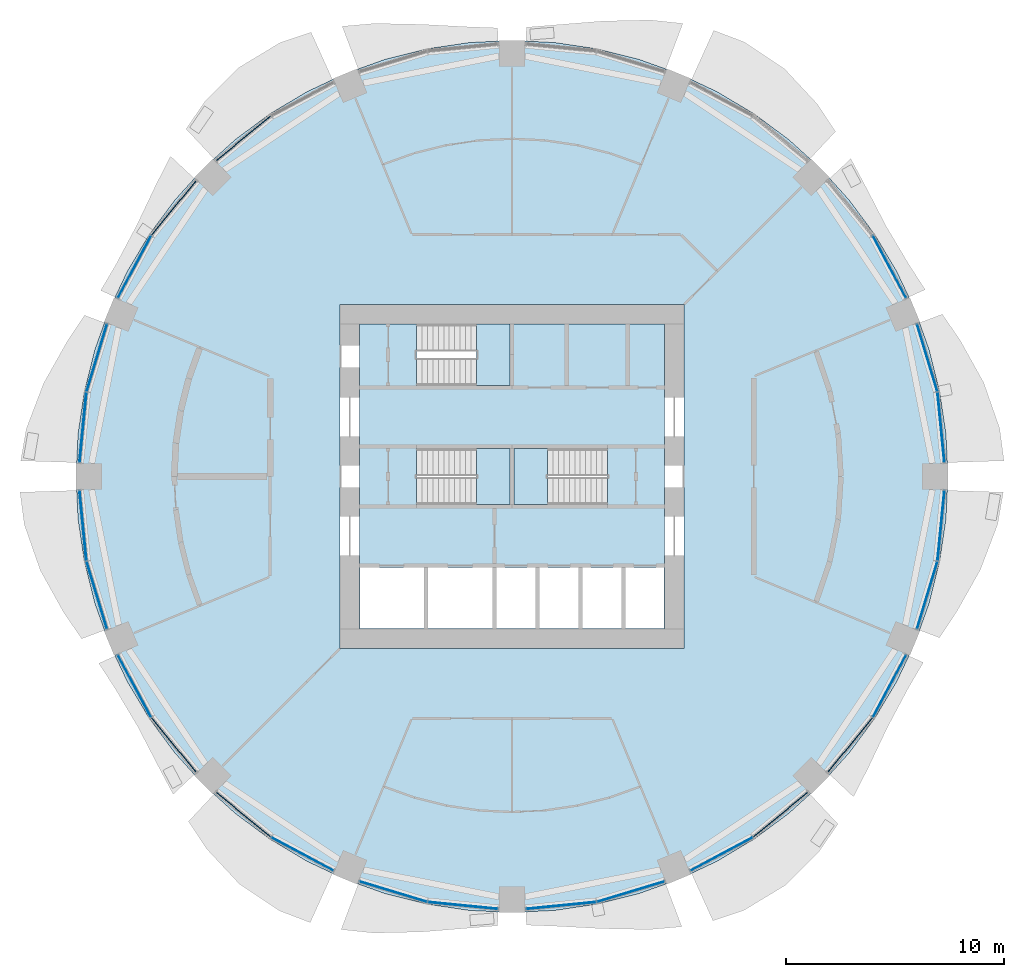
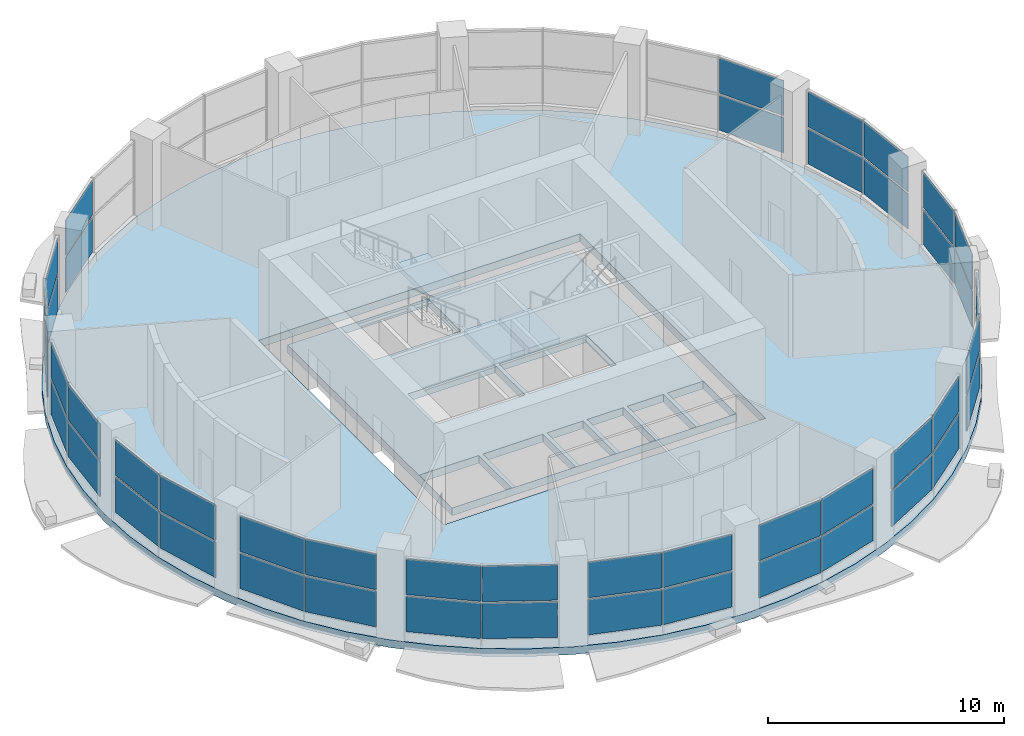
# One storey, part 6 of 14: 48 plates, 5 slabs, 16 elements without a shape of their own.
"""IFC4 building model written with IfcOpenShell, lengths in metres."""

from ifc_helpers import new_model, si_unit, direction, frame, origin, origin_2d, place, context, subcontext, project, spatial, polyline, rectangle, outline, extrude, material, layer, layer_set, type_object, element, aggregate, save


model = new_model("IFC4")

# Units and contexts
model_context = context("Model", 3, precision=1e-05, world=origin(), true_north=direction((0.0, 1.0)))
body_context = subcontext(model_context, "Body", "Model", "MODEL_VIEW")
ifc_project = project(units=[si_unit("LENGTHUNIT", "METRE"), si_unit("AREAUNIT", "SQUARE_METRE"), si_unit("VOLUMEUNIT", "CUBIC_METRE"), si_unit("PLANEANGLEUNIT", "RADIAN"), si_unit("MASSUNIT", "GRAM", prefix="KILO")], contexts=[model_context])

# Site, building, storey
site_placement = place(None, origin())
site = spatial("IfcSite", under=ifc_project, at=site_placement, CompositionType="ELEMENT")
building_placement = place(site_placement, origin())
building = spatial("IfcBuilding", under=site, at=building_placement, Name="Polderwave Tower", CompositionType="ELEMENT")
storey_placement = place(building_placement, frame((0.0, 0.0, 5.199951171875)))
storey = spatial("IfcBuildingStorey", under=building, at=storey_placement, Name="L01", CompositionType="ELEMENT", Elevation=5.199951171875)

# Slabs
ifc_material_1 = material(Name="Concrete C40/50", Category="concrete")
ifc_layer_1 = layer(ifc_material_1, 0.39990234375)
ifc_layer_set_1 = layer_set([ifc_layer_1], Name="Core floor slab 400")
slab_type_1 = type_object("IfcSlabType", Name="Core floor slab 400", PredefinedType="FLOOR", material=ifc_layer_set_1)
slab_1_placement = place(storey_placement, frame((0.0, 0.0, -0.39990234375)))
element("IfcSlab", 1, at=slab_1_placement, inside=storey, type_object=slab_type_1, Name="L01 core floor", PredefinedType="FLOOR", context=body_context, shape_type="SweptSolid", body=[
    extrude(outline(polyline([(-6.97412109375, -6.97412109375), (6.97412109375, -6.97412109375), (6.97412109375, 6.97412109375), (-6.97412109375, 6.97412109375), (-6.97412109375, -6.97412109375)]), holes=[polyline([(-6.9541015625, -6.9541015625), (-4.037109375, -6.9541015625), (-4.037109375, -4.174072265625), (-6.9541015625, -4.174072265625), (-6.9541015625, -6.9541015625)]), polyline([(-3.8369140625, -6.9541015625), (-0.89990234375, -6.9541015625), (-0.89990234375, -4.174072265625), (-3.8369140625, -4.174072265625), (-3.8369140625, -6.9541015625)]), polyline([(-0.699951171875, -6.9541015625), (1.068603515625, -6.9541015625), (1.068603515625, -4.174072265625), (-0.699951171875, -4.174072265625), (-0.699951171875, -6.9541015625)]), polyline([(1.2685546875, -6.9541015625), (3.037109375, -6.9541015625), (3.037109375, -4.174072265625), (1.2685546875, -4.174072265625), (1.2685546875, -6.9541015625)]), polyline([(3.237060546875, -6.9541015625), (5.005615234375, -6.9541015625), (5.005615234375, -4.174072265625), (3.237060546875, -4.174072265625), (3.237060546875, -6.9541015625)]), polyline([(5.20556640625, -6.9541015625), (6.9541015625, -6.9541015625), (6.9541015625, -4.174072265625), (5.20556640625, -4.174072265625), (5.20556640625, -6.9541015625)]), polyline([(-4.37353515625, -1.2744140625), (-0.1005859375, -1.2744140625), (-0.1005859375, 1.2744140625), (-4.37353515625, 1.2744140625), (-4.37353515625, -1.2744140625)]), polyline([(0.1005859375, -1.2744140625), (4.37353515625, -1.2744140625), (4.37353515625, 1.2744140625), (0.1005859375, 1.2744140625), (0.1005859375, -1.2744140625)]), polyline([(-4.37353515625, 4.174560546875), (-0.1005859375, 4.174560546875), (-0.1005859375, 6.9541015625), (-4.37353515625, 6.9541015625), (-4.37353515625, 4.174560546875)])]), origin(), (0.0, 0.0, 1.0), 0.39990234375),
])
ifc_layer_2 = layer(ifc_material_1, 0.39990234375)
ifc_layer_set_2 = layer_set([ifc_layer_2], Name="PT FLOOR SLAB 400 C40/50")
slab_type_2 = type_object("IfcSlabType", Name="PT FLOOR SLAB 400 C40/50", PredefinedType="FLOOR", material=ifc_layer_set_2)
slab_2_placement = place(storey_placement, frame((0.0, 0.0, -0.39990234375)))
element("IfcSlab", 2, at=slab_2_placement, inside=storey, type_object=slab_type_2, Name="ST-SLAB-L01", PredefinedType="FLOOR", context=body_context, shape_type="SweptSolid", body=[
    extrude(outline(polyline([(19.9599609375, 0.0), (19.864013671875, 1.956298828125), (19.576416015625, 3.89404296875), (19.1005859375, 5.794189453125), (18.440673828125, 7.638427734375), (17.60302734375, 9.4091796875), (16.59619140625, 11.089111328125), (15.42919921875, 12.66259765625), (14.114013671875, 14.114013671875), (12.66259765625, 15.42919921875), (11.089111328125, 16.59619140625), (9.4091796875, 17.60302734375), (7.638427734375, 18.440673828125), (5.794189453125, 19.1005859375), (3.89404296875, 19.576416015625), (1.956298828125, 19.864013671875), (0.0, 19.9599609375), (-1.956298828125, 19.864013671875), (-3.89404296875, 19.576416015625), (-5.794189453125, 19.1005859375), (-7.638427734375, 18.440673828125), (-9.4091796875, 17.60302734375), (-11.089111328125, 16.59619140625), (-12.66259765625, 15.42919921875), (-14.114013671875, 14.114013671875), (-15.42919921875, 12.66259765625), (-16.59619140625, 11.089111328125), (-17.60302734375, 9.4091796875), (-18.440673828125, 7.638427734375), (-19.1005859375, 5.794189453125), (-19.576416015625, 3.89404296875), (-19.864013671875, 1.956298828125), (-19.9599609375, 0.0), (-19.864013671875, -1.956298828125), (-19.576416015625, -3.89404296875), (-19.1005859375, -5.794189453125), (-18.440673828125, -7.638427734375), (-17.60302734375, -9.4091796875), (-16.59619140625, -11.089111328125), (-15.42919921875, -12.66259765625), (-14.114013671875, -14.114013671875), (-12.66259765625, -15.42919921875), (-11.089111328125, -16.59619140625), (-9.4091796875, -17.60302734375), (-7.638427734375, -18.440673828125), (-5.794189453125, -19.1005859375), (-3.89404296875, -19.576416015625), (-1.956298828125, -19.864013671875), (0.0, -19.9599609375), (1.956298828125, -19.864013671875), (3.89404296875, -19.576416015625), (5.794189453125, -19.1005859375), (7.638427734375, -18.440673828125), (9.4091796875, -17.60302734375), (11.089111328125, -16.59619140625), (12.66259765625, -15.42919921875), (14.114013671875, -14.114013671875), (15.42919921875, -12.66259765625), (16.59619140625, -11.089111328125), (17.60302734375, -9.4091796875), (18.440673828125, -7.638427734375), (19.1005859375, -5.794189453125), (19.576416015625, -3.89404296875), (19.864013671875, -1.956298828125), (19.9599609375, 0.0)]), holes=[polyline([(-7.8740234375, -7.8740234375), (7.8740234375, -7.8740234375), (7.8740234375, 7.8740234375), (-7.8740234375, 7.8740234375), (-7.8740234375, -7.8740234375)])]), origin(), (0.0, 0.0, 1.0), 0.39990234375),
])

# Curtain wall, plates
ifc_material_2 = material(Name="Aluminium 6063-T6 and glass", Category="aluminium")
curtain_wall_type = type_object("IfcCurtainWallType", Name="Shopfront glazing wall", PredefinedType="NOTDEFINED", material=ifc_material_2)
curtain_wall_1_placement = place(storey_placement, origin())
curtain_wall_1 = element("IfcCurtainWall", 3, at=curtain_wall_1_placement, inside=storey, type_object=curtain_wall_type, Name="CW1 L01 00", PredefinedType="NOTDEFINED")
ifc_material_3 = material(Name="Glass, low-e laminated double glazing", Category="glass")
ifc_layer_3 = layer(ifc_material_3, 0.035888671875)
ifc_layer_set_3 = layer_set([ifc_layer_3], Name="Shopfront glazing glass panel 36 mm")
plate_type = type_object("IfcPlateType", Name="Shopfront glazing glass panel 36 mm", PredefinedType="CURTAIN_PANEL", material=ifc_layer_set_3)
plate_1_placement = place(storey_placement, frame((19.637939453125, 2.251953125, 0.4501953125), z_axis=(0.0, 0.0, 1.0), x_axis=(-0.098178673064, 0.99516880385, 0.0)))
plate_1 = element("IfcPlate", 4, at=plate_1_placement, type_object=plate_type, Name="CW1 panel 1", PredefinedType="CURTAIN_PANEL", context=body_context, shape_type="SweptSolid", body=[
    extrude(rectangle(XDim=3.199951171875, YDim=0.035888671875, at=origin_2d()), origin(), (0.0, 0.0, 1.0), 1.824951171875),
])
plate_2_placement = place(storey_placement, frame((19.637939453125, 2.251953125, 2.375), z_axis=(0.0, 0.0, 1.0), x_axis=(-0.098178673064, 0.99516880385, 0.0)))
plate_2 = element("IfcPlate", 5, at=plate_2_placement, type_object=plate_type, Name="CW1 panel 2", PredefinedType="CURTAIN_PANEL", context=body_context, shape_type="SweptSolid", body=[
    extrude(rectangle(XDim=3.199951171875, YDim=0.035888671875, at=origin_2d()), origin(), (0.0, 0.0, 1.0), 1.824951171875),
])
plate_3_placement = place(storey_placement, frame((19.0048828125, 5.43408203125, 0.4501953125), z_axis=(0.0, 0.0, 1.0), x_axis=(-0.290217869509, 0.956960599094, 0.0)))
plate_3 = element("IfcPlate", 6, at=plate_3_placement, type_object=plate_type, Name="CW1 panel 3", PredefinedType="CURTAIN_PANEL", context=body_context, shape_type="SweptSolid", body=[
    extrude(rectangle(XDim=3.20068359375, YDim=0.035888671875, at=origin_2d()), origin(), (0.0, 0.0, 1.0), 1.824951171875),
])
plate_4_placement = place(storey_placement, frame((19.0048828125, 5.43408203125, 2.375), z_axis=(0.0, 0.0, 1.0), x_axis=(-0.290217869509, 0.956960599094, 0.0)))
plate_4 = element("IfcPlate", 7, at=plate_4_placement, type_object=plate_type, Name="CW1 panel 4", PredefinedType="CURTAIN_PANEL", context=body_context, shape_type="SweptSolid", body=[
    extrude(rectangle(XDim=3.20068359375, YDim=0.035888671875, at=origin_2d()), origin(), (0.0, 0.0, 1.0), 1.824951171875),
])
aggregate(curtain_wall_1, [plate_1, plate_2, plate_3, plate_4])

curtain_wall_2_placement = place(storey_placement, origin())
curtain_wall_2 = element("IfcCurtainWall", 8, at=curtain_wall_2_placement, inside=storey, type_object=curtain_wall_type, Name="CW1 L01 01", PredefinedType="NOTDEFINED")
plate_5_placement = place(storey_placement, frame((17.281494140625, 9.59619140625, 0.4501953125), z_axis=(0.0, 0.0, 1.0), x_axis=(-0.471361333858, 0.881940186716, 0.0)))
plate_5 = element("IfcPlate", 9, at=plate_5_placement, type_object=plate_type, Name="CW1 panel 1", PredefinedType="CURTAIN_PANEL", context=body_context, shape_type="SweptSolid", body=[
    extrude(rectangle(XDim=3.200439453125, YDim=0.035888671875, at=origin_2d()), origin(), (0.0, 0.0, 1.0), 1.824951171875),
])
plate_6_placement = place(storey_placement, frame((17.281494140625, 9.59619140625, 2.375), z_axis=(0.0, 0.0, 1.0), x_axis=(-0.471361333858, 0.881940186716, 0.0)))
plate_6 = element("IfcPlate", 10, at=plate_6_placement, type_object=plate_type, Name="CW1 panel 2", PredefinedType="CURTAIN_PANEL", context=body_context, shape_type="SweptSolid", body=[
    extrude(rectangle(XDim=3.200439453125, YDim=0.035888671875, at=origin_2d()), origin(), (0.0, 0.0, 1.0), 1.824951171875),
])
aggregate(curtain_wall_2, [plate_5, plate_6])

curtain_wall_3_placement = place(storey_placement, origin())
curtain_wall_3 = element("IfcCurtainWall", 11, at=curtain_wall_3_placement, inside=storey, type_object=curtain_wall_type, Name="CW1 L01 05", PredefinedType="NOTDEFINED")
plate_7_placement = place(storey_placement, frame((-12.2939453125, 15.47900390625, 0.4501953125), z_axis=(0.0, 0.0, 1.0), x_axis=(-0.773008238908, -0.634395982475, 0.0)))
plate_7 = element("IfcPlate", 12, at=plate_7_placement, type_object=plate_type, Name="CW1 panel 3", PredefinedType="CURTAIN_PANEL", context=body_context, shape_type="SweptSolid", body=[
    extrude(rectangle(XDim=3.19970703125, YDim=0.035888671875, at=origin_2d()), origin(), (0.0, 0.0, 1.0), 1.824951171875),
])
plate_8_placement = place(storey_placement, frame((-12.2939453125, 15.47900390625, 2.375), z_axis=(0.0, 0.0, 1.0), x_axis=(-0.773008238908, -0.634395982475, 0.0)))
plate_8 = element("IfcPlate", 13, at=plate_8_placement, type_object=plate_type, Name="CW1 panel 4", PredefinedType="CURTAIN_PANEL", context=body_context, shape_type="SweptSolid", body=[
    extrude(rectangle(XDim=3.19970703125, YDim=0.035888671875, at=origin_2d()), origin(), (0.0, 0.0, 1.0), 1.824951171875),
])
aggregate(curtain_wall_3, [plate_7, plate_8])

curtain_wall_4_placement = place(storey_placement, origin())
curtain_wall_4 = element("IfcCurtainWall", 14, at=curtain_wall_4_placement, inside=storey, type_object=curtain_wall_type, Name="CW1 L01 06", PredefinedType="NOTDEFINED")
plate_9_placement = place(storey_placement, frame((-15.47900390625, 12.2939453125, 0.4501953125), z_axis=(0.0, 0.0, 1.0), x_axis=(-0.634395982475, -0.773008238908, 0.0)))
plate_9 = element("IfcPlate", 15, at=plate_9_placement, type_object=plate_type, Name="CW1 panel 1", PredefinedType="CURTAIN_PANEL", context=body_context, shape_type="SweptSolid", body=[
    extrude(rectangle(XDim=3.19970703125, YDim=0.035888671875, at=origin_2d()), origin(), (0.0, 0.0, 1.0), 1.824951171875),
])
plate_10_placement = place(storey_placement, frame((-15.47900390625, 12.2939453125, 2.375), z_axis=(0.0, 0.0, 1.0), x_axis=(-0.634395982475, -0.773008238908, 0.0)))
plate_10 = element("IfcPlate", 16, at=plate_10_placement, type_object=plate_type, Name="CW1 panel 2", PredefinedType="CURTAIN_PANEL", context=body_context, shape_type="SweptSolid", body=[
    extrude(rectangle(XDim=3.19970703125, YDim=0.035888671875, at=origin_2d()), origin(), (0.0, 0.0, 1.0), 1.824951171875),
])
plate_11_placement = place(storey_placement, frame((-17.281494140625, 9.59619140625, 0.4501953125), z_axis=(0.0, 0.0, 1.0), x_axis=(-0.471361333858, -0.881940186716, 0.0)))
plate_11 = element("IfcPlate", 17, at=plate_11_placement, type_object=plate_type, Name="CW1 panel 3", PredefinedType="CURTAIN_PANEL", context=body_context, shape_type="SweptSolid", body=[
    extrude(rectangle(XDim=3.200439453125, YDim=0.035888671875, at=origin_2d()), origin(), (0.0, 0.0, 1.0), 1.824951171875),
])
plate_12_placement = place(storey_placement, frame((-17.281494140625, 9.59619140625, 2.375), z_axis=(0.0, 0.0, 1.0), x_axis=(-0.471361333858, -0.881940186716, 0.0)))
plate_12 = element("IfcPlate", 18, at=plate_12_placement, type_object=plate_type, Name="CW1 panel 4", PredefinedType="CURTAIN_PANEL", context=body_context, shape_type="SweptSolid", body=[
    extrude(rectangle(XDim=3.200439453125, YDim=0.035888671875, at=origin_2d()), origin(), (0.0, 0.0, 1.0), 1.824951171875),
])
aggregate(curtain_wall_4, [plate_9, plate_10, plate_11, plate_12])

curtain_wall_5_placement = place(storey_placement, origin())
curtain_wall_5 = element("IfcCurtainWall", 19, at=curtain_wall_5_placement, inside=storey, type_object=curtain_wall_type, Name="CW1 L01 07", PredefinedType="NOTDEFINED")
plate_13_placement = place(storey_placement, frame((-19.0048828125, 5.43408203125, 0.4501953125), z_axis=(0.0, 0.0, 1.0), x_axis=(-0.290217869509, -0.956960599094, 0.0)))
plate_13 = element("IfcPlate", 20, at=plate_13_placement, type_object=plate_type, Name="CW1 panel 1", PredefinedType="CURTAIN_PANEL", context=body_context, shape_type="SweptSolid", body=[
    extrude(rectangle(XDim=3.20068359375, YDim=0.035888671875, at=origin_2d()), origin(), (0.0, 0.0, 1.0), 1.824951171875),
])
plate_14_placement = place(storey_placement, frame((-19.0048828125, 5.43408203125, 2.375), z_axis=(0.0, 0.0, 1.0), x_axis=(-0.290217869509, -0.956960599094, 0.0)))
plate_14 = element("IfcPlate", 21, at=plate_14_placement, type_object=plate_type, Name="CW1 panel 2", PredefinedType="CURTAIN_PANEL", context=body_context, shape_type="SweptSolid", body=[
    extrude(rectangle(XDim=3.20068359375, YDim=0.035888671875, at=origin_2d()), origin(), (0.0, 0.0, 1.0), 1.824951171875),
])
plate_15_placement = place(storey_placement, frame((-19.637939453125, 2.251953125, 0.4501953125), z_axis=(0.0, 0.0, 1.0), x_axis=(-0.098178673064, -0.99516880385, 0.0)))
plate_15 = element("IfcPlate", 22, at=plate_15_placement, type_object=plate_type, Name="CW1 panel 3", PredefinedType="CURTAIN_PANEL", context=body_context, shape_type="SweptSolid", body=[
    extrude(rectangle(XDim=3.199951171875, YDim=0.035888671875, at=origin_2d()), origin(), (0.0, 0.0, 1.0), 1.824951171875),
])
plate_16_placement = place(storey_placement, frame((-19.637939453125, 2.251953125, 2.375), z_axis=(0.0, 0.0, 1.0), x_axis=(-0.098178673064, -0.99516880385, 0.0)))
plate_16 = element("IfcPlate", 23, at=plate_16_placement, type_object=plate_type, Name="CW1 panel 4", PredefinedType="CURTAIN_PANEL", context=body_context, shape_type="SweptSolid", body=[
    extrude(rectangle(XDim=3.199951171875, YDim=0.035888671875, at=origin_2d()), origin(), (0.0, 0.0, 1.0), 1.824951171875),
])
aggregate(curtain_wall_5, [plate_13, plate_14, plate_15, plate_16])

curtain_wall_6_placement = place(storey_placement, origin())
curtain_wall_6 = element("IfcCurtainWall", 24, at=curtain_wall_6_placement, inside=storey, type_object=curtain_wall_type, Name="CW1 L01 08", PredefinedType="NOTDEFINED")
plate_17_placement = place(storey_placement, frame((-19.637939453125, -2.251953125, 0.4501953125), z_axis=(0.0, 0.0, 1.0), x_axis=(0.098178673064, -0.99516880385, 0.0)))
plate_17 = element("IfcPlate", 25, at=plate_17_placement, type_object=plate_type, Name="CW1 panel 1", PredefinedType="CURTAIN_PANEL", context=body_context, shape_type="SweptSolid", body=[
    extrude(rectangle(XDim=3.199951171875, YDim=0.035888671875, at=origin_2d()), origin(), (0.0, 0.0, 1.0), 1.824951171875),
])
plate_18_placement = place(storey_placement, frame((-19.637939453125, -2.251953125, 2.375), z_axis=(0.0, 0.0, 1.0), x_axis=(0.098178673064, -0.99516880385, 0.0)))
plate_18 = element("IfcPlate", 26, at=plate_18_placement, type_object=plate_type, Name="CW1 panel 2", PredefinedType="CURTAIN_PANEL", context=body_context, shape_type="SweptSolid", body=[
    extrude(rectangle(XDim=3.199951171875, YDim=0.035888671875, at=origin_2d()), origin(), (0.0, 0.0, 1.0), 1.824951171875),
])
plate_19_placement = place(storey_placement, frame((-19.0048828125, -5.43408203125, 0.4501953125), z_axis=(0.0, 0.0, 1.0), x_axis=(0.290217869509, -0.956960599094, 0.0)))
plate_19 = element("IfcPlate", 27, at=plate_19_placement, type_object=plate_type, Name="CW1 panel 3", PredefinedType="CURTAIN_PANEL", context=body_context, shape_type="SweptSolid", body=[
    extrude(rectangle(XDim=3.20068359375, YDim=0.035888671875, at=origin_2d()), origin(), (0.0, 0.0, 1.0), 1.824951171875),
])
plate_20_placement = place(storey_placement, frame((-19.0048828125, -5.43408203125, 2.375), z_axis=(0.0, 0.0, 1.0), x_axis=(0.290217869509, -0.956960599094, 0.0)))
plate_20 = element("IfcPlate", 28, at=plate_20_placement, type_object=plate_type, Name="CW1 panel 4", PredefinedType="CURTAIN_PANEL", context=body_context, shape_type="SweptSolid", body=[
    extrude(rectangle(XDim=3.20068359375, YDim=0.035888671875, at=origin_2d()), origin(), (0.0, 0.0, 1.0), 1.824951171875),
])
aggregate(curtain_wall_6, [plate_17, plate_18, plate_19, plate_20])

curtain_wall_7_placement = place(storey_placement, origin())
curtain_wall_7 = element("IfcCurtainWall", 29, at=curtain_wall_7_placement, inside=storey, type_object=curtain_wall_type, Name="CW1 L01 09", PredefinedType="NOTDEFINED")
plate_21_placement = place(storey_placement, frame((-17.281494140625, -9.59619140625, 0.4501953125), z_axis=(0.0, 0.0, 1.0), x_axis=(0.471361333858, -0.881940186716, 0.0)))
plate_21 = element("IfcPlate", 30, at=plate_21_placement, type_object=plate_type, Name="CW1 panel 1", PredefinedType="CURTAIN_PANEL", context=body_context, shape_type="SweptSolid", body=[
    extrude(rectangle(XDim=3.200439453125, YDim=0.035888671875, at=origin_2d()), origin(), (0.0, 0.0, 1.0), 1.824951171875),
])
plate_22_placement = place(storey_placement, frame((-17.281494140625, -9.59619140625, 2.375), z_axis=(0.0, 0.0, 1.0), x_axis=(0.471361333858, -0.881940186716, 0.0)))
plate_22 = element("IfcPlate", 31, at=plate_22_placement, type_object=plate_type, Name="CW1 panel 2", PredefinedType="CURTAIN_PANEL", context=body_context, shape_type="SweptSolid", body=[
    extrude(rectangle(XDim=3.200439453125, YDim=0.035888671875, at=origin_2d()), origin(), (0.0, 0.0, 1.0), 1.824951171875),
])
plate_23_placement = place(storey_placement, frame((-15.47900390625, -12.2939453125, 0.4501953125), z_axis=(0.0, 0.0, 1.0), x_axis=(0.634395982475, -0.773008238908, 0.0)))
plate_23 = element("IfcPlate", 32, at=plate_23_placement, type_object=plate_type, Name="CW1 panel 3", PredefinedType="CURTAIN_PANEL", context=body_context, shape_type="SweptSolid", body=[
    extrude(rectangle(XDim=3.19970703125, YDim=0.035888671875, at=origin_2d()), origin(), (0.0, 0.0, 1.0), 1.824951171875),
])
plate_24_placement = place(storey_placement, frame((-15.47900390625, -12.2939453125, 2.375), z_axis=(0.0, 0.0, 1.0), x_axis=(0.634395982475, -0.773008238908, 0.0)))
plate_24 = element("IfcPlate", 33, at=plate_24_placement, type_object=plate_type, Name="CW1 panel 4", PredefinedType="CURTAIN_PANEL", context=body_context, shape_type="SweptSolid", body=[
    extrude(rectangle(XDim=3.19970703125, YDim=0.035888671875, at=origin_2d()), origin(), (0.0, 0.0, 1.0), 1.824951171875),
])
aggregate(curtain_wall_7, [plate_21, plate_22, plate_23, plate_24])

curtain_wall_8_placement = place(storey_placement, origin())
curtain_wall_8 = element("IfcCurtainWall", 34, at=curtain_wall_8_placement, inside=storey, type_object=curtain_wall_type, Name="CW1 L01 10", PredefinedType="NOTDEFINED")
plate_25_placement = place(storey_placement, frame((-12.2939453125, -15.47900390625, 0.4501953125), z_axis=(0.0, 0.0, 1.0), x_axis=(0.773008238908, -0.634395982475, 0.0)))
plate_25 = element("IfcPlate", 35, at=plate_25_placement, type_object=plate_type, Name="CW1 panel 1", PredefinedType="CURTAIN_PANEL", context=body_context, shape_type="SweptSolid", body=[
    extrude(rectangle(XDim=3.19970703125, YDim=0.035888671875, at=origin_2d()), origin(), (0.0, 0.0, 1.0), 1.824951171875),
])
plate_26_placement = place(storey_placement, frame((-12.2939453125, -15.47900390625, 2.375), z_axis=(0.0, 0.0, 1.0), x_axis=(0.773008238908, -0.634395982475, 0.0)))
plate_26 = element("IfcPlate", 36, at=plate_26_placement, type_object=plate_type, Name="CW1 panel 2", PredefinedType="CURTAIN_PANEL", context=body_context, shape_type="SweptSolid", body=[
    extrude(rectangle(XDim=3.19970703125, YDim=0.035888671875, at=origin_2d()), origin(), (0.0, 0.0, 1.0), 1.824951171875),
])
plate_27_placement = place(storey_placement, frame((-9.59619140625, -17.281494140625, 0.4501953125), z_axis=(0.0, 0.0, 1.0), x_axis=(0.881940186716, -0.471361333858, 0.0)))
plate_27 = element("IfcPlate", 37, at=plate_27_placement, type_object=plate_type, Name="CW1 panel 3", PredefinedType="CURTAIN_PANEL", context=body_context, shape_type="SweptSolid", body=[
    extrude(rectangle(XDim=3.200439453125, YDim=0.035888671875, at=origin_2d()), origin(), (0.0, 0.0, 1.0), 1.824951171875),
])
plate_28_placement = place(storey_placement, frame((-9.59619140625, -17.281494140625, 2.375), z_axis=(0.0, 0.0, 1.0), x_axis=(0.881940186716, -0.471361333858, 0.0)))
plate_28 = element("IfcPlate", 38, at=plate_28_placement, type_object=plate_type, Name="CW1 panel 4", PredefinedType="CURTAIN_PANEL", context=body_context, shape_type="SweptSolid", body=[
    extrude(rectangle(XDim=3.200439453125, YDim=0.035888671875, at=origin_2d()), origin(), (0.0, 0.0, 1.0), 1.824951171875),
])
aggregate(curtain_wall_8, [plate_25, plate_26, plate_27, plate_28])

curtain_wall_9_placement = place(storey_placement, origin())
curtain_wall_9 = element("IfcCurtainWall", 39, at=curtain_wall_9_placement, inside=storey, type_object=curtain_wall_type, Name="CW1 L01 11", PredefinedType="NOTDEFINED")
plate_29_placement = place(storey_placement, frame((-5.43408203125, -19.0048828125, 0.4501953125), z_axis=(0.0, 0.0, 1.0), x_axis=(0.956960599094, -0.290217869509, 0.0)))
plate_29 = element("IfcPlate", 40, at=plate_29_placement, type_object=plate_type, Name="CW1 panel 1", PredefinedType="CURTAIN_PANEL", context=body_context, shape_type="SweptSolid", body=[
    extrude(rectangle(XDim=3.20068359375, YDim=0.035888671875, at=origin_2d()), origin(), (0.0, 0.0, 1.0), 1.824951171875),
])
plate_30_placement = place(storey_placement, frame((-5.43408203125, -19.0048828125, 2.375), z_axis=(0.0, 0.0, 1.0), x_axis=(0.956960599094, -0.290217869509, 0.0)))
plate_30 = element("IfcPlate", 41, at=plate_30_placement, type_object=plate_type, Name="CW1 panel 2", PredefinedType="CURTAIN_PANEL", context=body_context, shape_type="SweptSolid", body=[
    extrude(rectangle(XDim=3.20068359375, YDim=0.035888671875, at=origin_2d()), origin(), (0.0, 0.0, 1.0), 1.824951171875),
])
plate_31_placement = place(storey_placement, frame((-2.251953125, -19.637939453125, 0.4501953125), z_axis=(0.0, 0.0, 1.0), x_axis=(0.99516880385, -0.098178673064, 0.0)))
plate_31 = element("IfcPlate", 42, at=plate_31_placement, type_object=plate_type, Name="CW1 panel 3", PredefinedType="CURTAIN_PANEL", context=body_context, shape_type="SweptSolid", body=[
    extrude(rectangle(XDim=3.199951171875, YDim=0.035888671875, at=origin_2d()), origin(), (0.0, 0.0, 1.0), 1.824951171875),
])
plate_32_placement = place(storey_placement, frame((-2.251953125, -19.637939453125, 2.375), z_axis=(0.0, 0.0, 1.0), x_axis=(0.99516880385, -0.098178673064, 0.0)))
plate_32 = element("IfcPlate", 43, at=plate_32_placement, type_object=plate_type, Name="CW1 panel 4", PredefinedType="CURTAIN_PANEL", context=body_context, shape_type="SweptSolid", body=[
    extrude(rectangle(XDim=3.199951171875, YDim=0.035888671875, at=origin_2d()), origin(), (0.0, 0.0, 1.0), 1.824951171875),
])
aggregate(curtain_wall_9, [plate_29, plate_30, plate_31, plate_32])

curtain_wall_10_placement = place(storey_placement, origin())
curtain_wall_10 = element("IfcCurtainWall", 44, at=curtain_wall_10_placement, inside=storey, type_object=curtain_wall_type, Name="CW1 L01 12", PredefinedType="NOTDEFINED")
plate_33_placement = place(storey_placement, frame((2.251953125, -19.637939453125, 0.4501953125), z_axis=(0.0, 0.0, 1.0), x_axis=(0.99516880385, 0.098178673064, 0.0)))
plate_33 = element("IfcPlate", 45, at=plate_33_placement, type_object=plate_type, Name="CW1 panel 1", PredefinedType="CURTAIN_PANEL", context=body_context, shape_type="SweptSolid", body=[
    extrude(rectangle(XDim=3.199951171875, YDim=0.035888671875, at=origin_2d()), origin(), (0.0, 0.0, 1.0), 1.824951171875),
])
plate_34_placement = place(storey_placement, frame((2.251953125, -19.637939453125, 2.375), z_axis=(0.0, 0.0, 1.0), x_axis=(0.99516880385, 0.098178673064, 0.0)))
plate_34 = element("IfcPlate", 46, at=plate_34_placement, type_object=plate_type, Name="CW1 panel 2", PredefinedType="CURTAIN_PANEL", context=body_context, shape_type="SweptSolid", body=[
    extrude(rectangle(XDim=3.199951171875, YDim=0.035888671875, at=origin_2d()), origin(), (0.0, 0.0, 1.0), 1.824951171875),
])
plate_35_placement = place(storey_placement, frame((5.43408203125, -19.0048828125, 0.4501953125), z_axis=(0.0, 0.0, 1.0), x_axis=(0.956960599094, 0.290217869509, 0.0)))
plate_35 = element("IfcPlate", 47, at=plate_35_placement, type_object=plate_type, Name="CW1 panel 3", PredefinedType="CURTAIN_PANEL", context=body_context, shape_type="SweptSolid", body=[
    extrude(rectangle(XDim=3.20068359375, YDim=0.035888671875, at=origin_2d()), origin(), (0.0, 0.0, 1.0), 1.824951171875),
])
plate_36_placement = place(storey_placement, frame((5.43408203125, -19.0048828125, 2.375), z_axis=(0.0, 0.0, 1.0), x_axis=(0.956960599094, 0.290217869509, 0.0)))
plate_36 = element("IfcPlate", 48, at=plate_36_placement, type_object=plate_type, Name="CW1 panel 4", PredefinedType="CURTAIN_PANEL", context=body_context, shape_type="SweptSolid", body=[
    extrude(rectangle(XDim=3.20068359375, YDim=0.035888671875, at=origin_2d()), origin(), (0.0, 0.0, 1.0), 1.824951171875),
])
aggregate(curtain_wall_10, [plate_33, plate_34, plate_35, plate_36])

curtain_wall_11_placement = place(storey_placement, origin())
curtain_wall_11 = element("IfcCurtainWall", 49, at=curtain_wall_11_placement, inside=storey, type_object=curtain_wall_type, Name="CW1 L01 13", PredefinedType="NOTDEFINED")
plate_37_placement = place(storey_placement, frame((9.59619140625, -17.281494140625, 0.4501953125), z_axis=(0.0, 0.0, 1.0), x_axis=(0.881940186716, 0.471361333858, 0.0)))
plate_37 = element("IfcPlate", 50, at=plate_37_placement, type_object=plate_type, Name="CW1 panel 1", PredefinedType="CURTAIN_PANEL", context=body_context, shape_type="SweptSolid", body=[
    extrude(rectangle(XDim=3.200439453125, YDim=0.035888671875, at=origin_2d()), origin(), (0.0, 0.0, 1.0), 1.824951171875),
])
plate_38_placement = place(storey_placement, frame((9.59619140625, -17.281494140625, 2.375), z_axis=(0.0, 0.0, 1.0), x_axis=(0.881940186716, 0.471361333858, 0.0)))
plate_38 = element("IfcPlate", 51, at=plate_38_placement, type_object=plate_type, Name="CW1 panel 2", PredefinedType="CURTAIN_PANEL", context=body_context, shape_type="SweptSolid", body=[
    extrude(rectangle(XDim=3.200439453125, YDim=0.035888671875, at=origin_2d()), origin(), (0.0, 0.0, 1.0), 1.824951171875),
])
plate_39_placement = place(storey_placement, frame((12.2939453125, -15.47900390625, 0.4501953125), z_axis=(0.0, 0.0, 1.0), x_axis=(0.773008238908, 0.634395982475, 0.0)))
plate_39 = element("IfcPlate", 52, at=plate_39_placement, type_object=plate_type, Name="CW1 panel 3", PredefinedType="CURTAIN_PANEL", context=body_context, shape_type="SweptSolid", body=[
    extrude(rectangle(XDim=3.19970703125, YDim=0.035888671875, at=origin_2d()), origin(), (0.0, 0.0, 1.0), 1.824951171875),
])
plate_40_placement = place(storey_placement, frame((12.2939453125, -15.47900390625, 2.375), z_axis=(0.0, 0.0, 1.0), x_axis=(0.773008238908, 0.634395982475, 0.0)))
plate_40 = element("IfcPlate", 53, at=plate_40_placement, type_object=plate_type, Name="CW1 panel 4", PredefinedType="CURTAIN_PANEL", context=body_context, shape_type="SweptSolid", body=[
    extrude(rectangle(XDim=3.19970703125, YDim=0.035888671875, at=origin_2d()), origin(), (0.0, 0.0, 1.0), 1.824951171875),
])
aggregate(curtain_wall_11, [plate_37, plate_38, plate_39, plate_40])

curtain_wall_12_placement = place(storey_placement, origin())
curtain_wall_12 = element("IfcCurtainWall", 54, at=curtain_wall_12_placement, inside=storey, type_object=curtain_wall_type, Name="CW1 L01 14", PredefinedType="NOTDEFINED")
plate_41_placement = place(storey_placement, frame((15.47900390625, -12.2939453125, 0.4501953125), z_axis=(0.0, 0.0, 1.0), x_axis=(0.634395982475, 0.773008238908, 0.0)))
plate_41 = element("IfcPlate", 55, at=plate_41_placement, type_object=plate_type, Name="CW1 panel 1", PredefinedType="CURTAIN_PANEL", context=body_context, shape_type="SweptSolid", body=[
    extrude(rectangle(XDim=3.19970703125, YDim=0.035888671875, at=origin_2d()), origin(), (0.0, 0.0, 1.0), 1.824951171875),
])
plate_42_placement = place(storey_placement, frame((15.47900390625, -12.2939453125, 2.375), z_axis=(0.0, 0.0, 1.0), x_axis=(0.634395982475, 0.773008238908, 0.0)))
plate_42 = element("IfcPlate", 56, at=plate_42_placement, type_object=plate_type, Name="CW1 panel 2", PredefinedType="CURTAIN_PANEL", context=body_context, shape_type="SweptSolid", body=[
    extrude(rectangle(XDim=3.19970703125, YDim=0.035888671875, at=origin_2d()), origin(), (0.0, 0.0, 1.0), 1.824951171875),
])
plate_43_placement = place(storey_placement, frame((17.281494140625, -9.59619140625, 0.4501953125), z_axis=(0.0, 0.0, 1.0), x_axis=(0.471361333858, 0.881940186716, 0.0)))
plate_43 = element("IfcPlate", 57, at=plate_43_placement, type_object=plate_type, Name="CW1 panel 3", PredefinedType="CURTAIN_PANEL", context=body_context, shape_type="SweptSolid", body=[
    extrude(rectangle(XDim=3.200439453125, YDim=0.035888671875, at=origin_2d()), origin(), (0.0, 0.0, 1.0), 1.824951171875),
])
plate_44_placement = place(storey_placement, frame((17.281494140625, -9.59619140625, 2.375), z_axis=(0.0, 0.0, 1.0), x_axis=(0.471361333858, 0.881940186716, 0.0)))
plate_44 = element("IfcPlate", 58, at=plate_44_placement, type_object=plate_type, Name="CW1 panel 4", PredefinedType="CURTAIN_PANEL", context=body_context, shape_type="SweptSolid", body=[
    extrude(rectangle(XDim=3.200439453125, YDim=0.035888671875, at=origin_2d()), origin(), (0.0, 0.0, 1.0), 1.824951171875),
])
aggregate(curtain_wall_12, [plate_41, plate_42, plate_43, plate_44])

curtain_wall_13_placement = place(storey_placement, origin())
curtain_wall_13 = element("IfcCurtainWall", 59, at=curtain_wall_13_placement, inside=storey, type_object=curtain_wall_type, Name="CW1 L01 15", PredefinedType="NOTDEFINED")
plate_45_placement = place(storey_placement, frame((19.0048828125, -5.43408203125, 0.4501953125), z_axis=(0.0, 0.0, 1.0), x_axis=(0.290217869509, 0.956960599094, 0.0)))
plate_45 = element("IfcPlate", 60, at=plate_45_placement, type_object=plate_type, Name="CW1 panel 1", PredefinedType="CURTAIN_PANEL", context=body_context, shape_type="SweptSolid", body=[
    extrude(rectangle(XDim=3.20068359375, YDim=0.035888671875, at=origin_2d()), origin(), (0.0, 0.0, 1.0), 1.824951171875),
])
plate_46_placement = place(storey_placement, frame((19.0048828125, -5.43408203125, 2.375), z_axis=(0.0, 0.0, 1.0), x_axis=(0.290217869509, 0.956960599094, 0.0)))
plate_46 = element("IfcPlate", 61, at=plate_46_placement, type_object=plate_type, Name="CW1 panel 2", PredefinedType="CURTAIN_PANEL", context=body_context, shape_type="SweptSolid", body=[
    extrude(rectangle(XDim=3.20068359375, YDim=0.035888671875, at=origin_2d()), origin(), (0.0, 0.0, 1.0), 1.824951171875),
])
plate_47_placement = place(storey_placement, frame((19.637939453125, -2.251953125, 0.4501953125), z_axis=(0.0, 0.0, 1.0), x_axis=(0.098178673064, 0.99516880385, 0.0)))
plate_47 = element("IfcPlate", 62, at=plate_47_placement, type_object=plate_type, Name="CW1 panel 3", PredefinedType="CURTAIN_PANEL", context=body_context, shape_type="SweptSolid", body=[
    extrude(rectangle(XDim=3.199951171875, YDim=0.035888671875, at=origin_2d()), origin(), (0.0, 0.0, 1.0), 1.824951171875),
])
plate_48_placement = place(storey_placement, frame((19.637939453125, -2.251953125, 2.375), z_axis=(0.0, 0.0, 1.0), x_axis=(0.098178673064, 0.99516880385, 0.0)))
plate_48 = element("IfcPlate", 63, at=plate_48_placement, type_object=plate_type, Name="CW1 panel 4", PredefinedType="CURTAIN_PANEL", context=body_context, shape_type="SweptSolid", body=[
    extrude(rectangle(XDim=3.199951171875, YDim=0.035888671875, at=origin_2d()), origin(), (0.0, 0.0, 1.0), 1.824951171875),
])
aggregate(curtain_wall_13, [plate_45, plate_46, plate_47, plate_48])

# Stair, slab
stair_type = type_object("IfcStairType", Name="Exit stair 1200 x 24 risers", PredefinedType="HALF_TURN_STAIR", material=ifc_material_1)
stair_1_placement = place(storey_placement, origin())
stair_1 = element("IfcStair", 64, at=stair_1_placement, inside=storey, type_object=stair_type, Name="L01 Exit stair A", PredefinedType="HALF_TURN_STAIR")
ifc_layer_4 = layer(ifc_material_1, 0.300048828125)
ifc_layer_set_4 = layer_set([ifc_layer_4], Name="Stair landing 300")
slab_type_3 = type_object("IfcSlabType", Name="Stair landing 300", PredefinedType="LANDING", material=ifc_layer_set_4)
slab_3_placement = place(storey_placement, frame((0.0, 0.0, 2.050048828125)))
slab_3 = element("IfcSlab", 65, at=slab_3_placement, type_object=slab_type_3, Name="ST-A landing 1", PredefinedType="LANDING", context=body_context, shape_type="SweptSolid", body=[
    extrude(outline(polyline([(-1.6240234375, -1.27490234375), (-0.10009765625, -1.27490234375), (-0.10009765625, 1.27490234375), (-1.6240234375, 1.27490234375), (-1.6240234375, -1.27490234375)])), origin(), (0.0, 0.0, 1.0), 0.300048828125),
])
aggregate(stair_1, [slab_3])

stair_2_placement = place(storey_placement, origin())
stair_2 = element("IfcStair", 66, at=stair_2_placement, inside=storey, type_object=stair_type, Name="L01 Exit stair B", PredefinedType="HALF_TURN_STAIR")
slab_4_placement = place(storey_placement, frame((0.0, 0.0, 2.050048828125)))
slab_4 = element("IfcSlab", 67, at=slab_4_placement, type_object=slab_type_3, Name="ST-B landing 1", PredefinedType="LANDING", context=body_context, shape_type="SweptSolid", body=[
    extrude(outline(polyline([(1.6240234375, 1.27490234375), (0.10009765625, 1.27490234375), (0.10009765625, -1.27490234375), (1.6240234375, -1.27490234375), (1.6240234375, 1.27490234375)])), origin(), (0.0, 0.0, 1.0), 0.300048828125),
])
aggregate(stair_2, [slab_4])

stair_3_placement = place(storey_placement, origin())
stair_3 = element("IfcStair", 68, at=stair_3_placement, inside=storey, type_object=stair_type, Name="L01 Exit stair C", PredefinedType="HALF_TURN_STAIR")
slab_5_placement = place(storey_placement, frame((0.0, 0.0, 2.050048828125)))
slab_5 = element("IfcSlab", 69, at=slab_5_placement, type_object=slab_type_3, Name="ST-C landing 1", PredefinedType="LANDING", context=body_context, shape_type="SweptSolid", body=[
    extrude(outline(polyline([(-1.6240234375, 4.174072265625), (-0.10009765625, 4.174072265625), (-0.10009765625, 6.97412109375), (-1.6240234375, 6.97412109375), (-1.6240234375, 4.174072265625)])), origin(), (0.0, 0.0, 1.0), 0.300048828125),
])
aggregate(stair_3, [slab_5])

save(model, "model.ifc")
